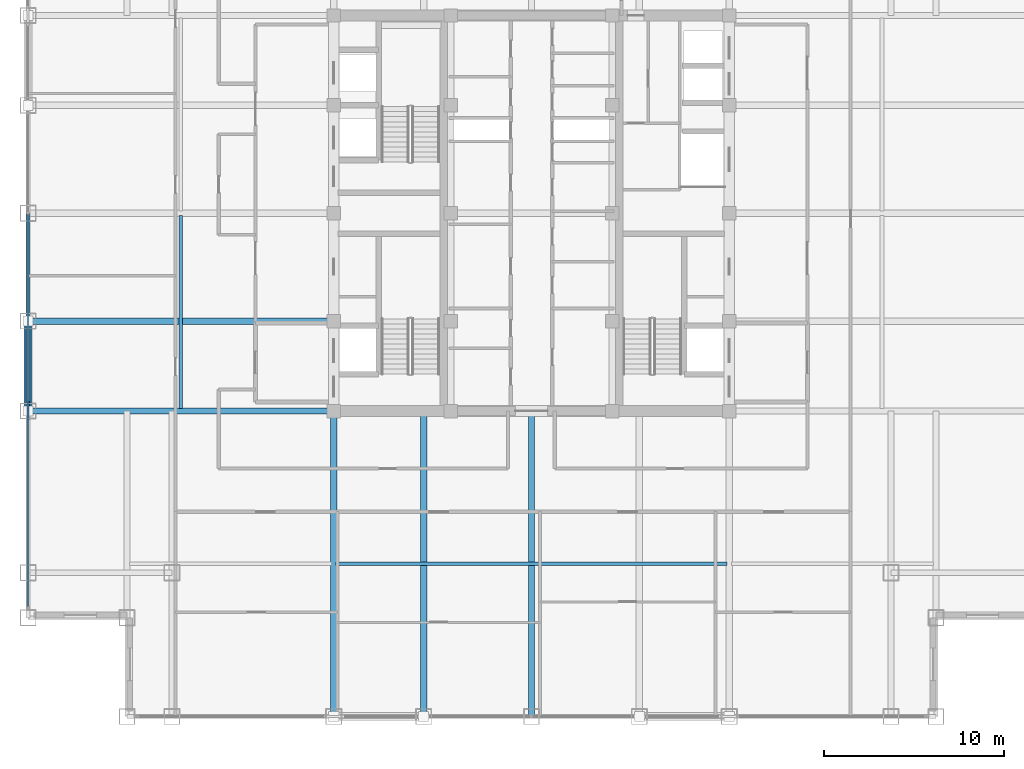
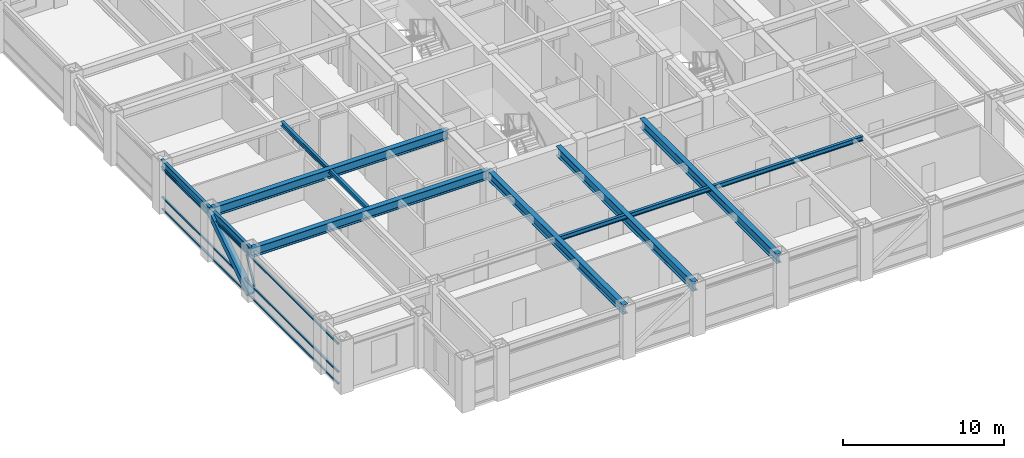
# One storey, part 5 of 22: 9 beams, 5 members, 1 element without a shape of its own.
"""IFC4 building model written with IfcOpenShell, lengths in metres."""

from ifc_helpers import new_model, si_unit, direction, frame, origin, origin_2d, place, context, subcontext, project, spatial, hollow_rectangle, i_section, extrude, source, transform, mapped, material, material_profile, profile_set, type_object, element, aggregate, save


model = new_model("IFC4")

# Units and contexts
model_context = context("Model", 3, precision=1e-05, world=origin(), true_north=direction((0.0, 1.0)))
body_context = subcontext(model_context, "Body", "Model", "MODEL_VIEW")
ifc_project = project(units=[si_unit("LENGTHUNIT", "METRE"), si_unit("AREAUNIT", "SQUARE_METRE"), si_unit("VOLUMEUNIT", "CUBIC_METRE"), si_unit("PLANEANGLEUNIT", "RADIAN"), si_unit("MASSUNIT", "GRAM", prefix="KILO")], contexts=[model_context])

# Site, building, storey
site_placement = place(None, origin())
site = spatial("IfcSite", under=ifc_project, at=site_placement, CompositionType="ELEMENT")
building_placement = place(site_placement, origin())
building = spatial("IfcBuilding", under=site, at=building_placement, Name="Khorayat Bourse Tower", CompositionType="ELEMENT")
storey_placement = place(building_placement, frame((0.0, 0.0, 297.5)))
storey = spatial("IfcBuildingStorey", under=building, at=storey_placement, Name="L70", CompositionType="ELEMENT", Elevation=297.5)

# Member
ifc_material_1 = material(Name="Steel EN 10025-4 S460M", Category="steel")
ifc_material_profile_1 = material_profile(ifc_material_1, hollow_rectangle(XDim=0.449951171875, YDim=0.449951171875, WallThickness=0.02490234375, at=origin_2d()), Name="HSS 450x450x25")
ifc_profile_set_1 = profile_set([ifc_material_profile_1], Name="Steel EN 10025-4 S460M")
member_type_1 = type_object("IfcMemberType", Name="MBR-TUBE-450", PredefinedType="BRACE", material=ifc_profile_set_1)
shared_shape_1 = source(origin(), body_context, "Body", "SweptSolid", [
    extrude(hollow_rectangle(XDim=0.449951171875, YDim=0.449951171875, WallThickness=0.02490234375, at=origin_2d()), origin(), (0.0, 0.0, 1.0), 5.979736328125),
])
member_1_placement = place(storey_placement, frame((-28.0, -11.0, 0.25), z_axis=(0.0, 0.836141536525, 0.548513747227), x_axis=(-1.0, 0.0, 0.0)))
element("IfcMember", 1, at=member_1_placement, inside=storey, type_object=member_type_1, Name="L70 Perimeter Tube Brace 05", PredefinedType="BRACE", context=body_context, shape_type="MappedRepresentation", body=[
    mapped(shared_shape_1, transform((0.0, 0.0, 0.0), scale=1.0)),
])

# Beams
ifc_material_2 = material(Name="Steel ASTM A992 Grade 50", Category="steel")
ifc_material_profile_2 = material_profile(ifc_material_2, i_section(OverallWidth=0.35498046875, OverallDepth=0.695068359375, WebThickness=0.015380859375, FlangeThickness=0.02490234375, FilletRadius=0.01806640625, at=origin_2d()), Name="W690X217")
ifc_profile_set_2 = profile_set([ifc_material_profile_2], Name="Steel ASTM A992 Grade 50")
beam_type_1 = type_object("IfcBeamType", Name="BM-GIRD-690", PredefinedType="BEAM", material=ifc_profile_set_2)
shared_shape_2 = source(origin(), body_context, "Body", "SweptSolid", [
    extrude(i_section(OverallWidth=0.35498046875, OverallDepth=0.695068359375, WebThickness=0.015380859375, FlangeThickness=0.02490234375, FilletRadius=0.01806640625, at=origin_2d()), origin(), (0.0, 0.0, 1.0), 17.0),
])
for number, where, z_axis, x_axis, name in (
    (2, (-11.0, -28.0, 3.4326171875), (0.0, 1.0, 0.0), (-1.0, 0.0, 0.0), "L70 BM-GIRD-690 BM-L70-RADY-065"),
    (3, (-6.0, -28.0, 3.4326171875), (0.0, 1.0, 0.0), (-1.0, 0.0, 0.0), "L70 BM-GIRD-690 BM-L70-RADY-067"),
    (4, (0.0, -28.0, 3.4326171875), (0.0, 1.0, 0.0), (-1.0, 0.0, 0.0), "L70 BM-GIRD-690 BM-L70-RADY-069"),
    (5, (-28.0, -11.0, 3.4326171875), (1.0, 0.0, 0.0), (0.0, 1.0, 0.0), "L70 BM-GIRD-690 BM-L70-RADX-075"),
    (6, (-28.0, -6.0, 3.4326171875), (1.0, 0.0, 0.0), (0.0, 1.0, 0.0), "L70 BM-GIRD-690 BM-L70-RADX-077"),
):
    element("IfcBeam", number, at=place(storey_placement, frame(where, z_axis=z_axis, x_axis=x_axis)), inside=storey, type_object=beam_type_1, Name=name, PredefinedType="BEAM", context=body_context, shape_type="MappedRepresentation", body=[
        mapped(shared_shape_2, transform((0.0, 0.0, 0.0), scale=1.0)),
    ])
ifc_material_profile_3 = material_profile(ifc_material_2, i_section(OverallWidth=0.202880859375, OverallDepth=0.346923828125, WebThickness=0.0078125, FlangeThickness=0.013427734375, FilletRadius=0.010009765625, at=origin_2d()), Name="W360X64")
ifc_profile_set_3 = profile_set([ifc_material_profile_3], Name="Steel ASTM A992 Grade 50")
beam_type_2 = type_object("IfcBeamType", Name="BM-JOIST-360", PredefinedType="JOIST", material=ifc_profile_set_3)
shared_shape_3 = source(origin(), body_context, "Body", "SweptSolid", [
    extrude(i_section(OverallWidth=0.202880859375, OverallDepth=0.346923828125, WebThickness=0.0078125, FlangeThickness=0.013427734375, FilletRadius=0.010009765625, at=origin_2d()), origin(), (0.0, 0.0, 1.0), 21.740234375),
])
beam_1_placement = place(storey_placement, frame((-10.8701171875, -19.5, 3.6064453125), z_axis=(1.0, 0.0, 0.0), x_axis=(0.0, 1.0, 0.0)))
element("IfcBeam", 7, at=beam_1_placement, inside=storey, type_object=beam_type_2, Name="L70 BM-JOIST-360 BM-L70-JSTX-097", PredefinedType="JOIST", context=body_context, shape_type="MappedRepresentation", body=[
    mapped(shared_shape_3, transform((0.0, 0.0, 0.0), scale=1.0)),
])
shared_shape_4 = source(origin(), body_context, "Body", "SweptSolid", [
    extrude(i_section(OverallWidth=0.202880859375, OverallDepth=0.346923828125, WebThickness=0.0078125, FlangeThickness=0.013427734375, FilletRadius=0.010009765625, at=origin_2d()), origin(), (0.0, 0.0, 1.0), 10.740234375),
])
beam_2_placement = place(storey_placement, frame((-19.5, -10.8701171875, 3.6064453125), z_axis=(0.0, 1.0, 0.0), x_axis=(-1.0, 0.0, 0.0)))
element("IfcBeam", 8, at=beam_2_placement, inside=storey, type_object=beam_type_2, Name="L70 BM-JOIST-360 BM-L70-JSTY-102", PredefinedType="JOIST", context=body_context, shape_type="MappedRepresentation", body=[
    mapped(shared_shape_4, transform((0.0, 0.0, 0.0), scale=1.0)),
])
ifc_material_profile_4 = material_profile(ifc_material_2, i_section(OverallWidth=0.214111328125, OverallDepth=0.549072265625, WebThickness=0.0146484375, FlangeThickness=0.023681640625, FilletRadius=0.013916015625, at=origin_2d()), Name="W530X138")
ifc_profile_set_4 = profile_set([ifc_material_profile_4], Name="Steel ASTM A992 Grade 50")
beam_type_3 = type_object("IfcBeamType", Name="BM-SPAN-530", PredefinedType="SPANDREL", material=ifc_profile_set_4)
shared_shape_5 = source(origin(), body_context, "Body", "SweptSolid", [
    extrude(i_section(OverallWidth=0.214111328125, OverallDepth=0.549072265625, WebThickness=0.0146484375, FlangeThickness=0.023681640625, FilletRadius=0.013916015625, at=origin_2d()), origin(), (0.0, 0.0, 1.0), 5.0),
])
beam_3_placement = place(storey_placement, frame((-28.0, -11.0, 3.505615234375), z_axis=(0.0, 1.0, 0.0), x_axis=(-1.0, 0.0, 0.0)))
element("IfcBeam", 9, at=beam_3_placement, inside=storey, type_object=beam_type_3, Name="L70 BM-SPAN-530 BM-L70-SPN-059", PredefinedType="SPANDREL", context=body_context, shape_type="MappedRepresentation", body=[
    mapped(shared_shape_5, transform((0.0, 0.0, 0.0), scale=1.0)),
])
shared_shape_6 = source(origin(), body_context, "Body", "SweptSolid", [
    extrude(i_section(OverallWidth=0.214111328125, OverallDepth=0.549072265625, WebThickness=0.0146484375, FlangeThickness=0.023681640625, FilletRadius=0.013916015625, at=origin_2d()), origin(), (0.0, 0.0, 1.0), 6.0),
])
beam_4_placement = place(storey_placement, frame((-28.0, -6.0, 3.505615234375), z_axis=(0.0, 1.0, 0.0), x_axis=(-1.0, 0.0, 0.0)))
element("IfcBeam", 10, at=beam_4_placement, inside=storey, type_object=beam_type_3, Name="L70 BM-SPAN-530 BM-L70-SPN-058", PredefinedType="SPANDREL", context=body_context, shape_type="MappedRepresentation", body=[
    mapped(shared_shape_6, transform((0.0, 0.0, 0.0), scale=1.0)),
])

# Curtain wall, members
ifc_material_3 = material(Name="Aluminium EN AW-6063 T6", Category="aluminium")
curtain_wall_type = type_object("IfcCurtainWallType", Name="CW-SYS-04", PredefinedType="NOTDEFINED", material=ifc_material_3)
curtain_wall_placement = place(storey_placement, origin())
curtain_wall = element("IfcCurtainWall", 11, at=curtain_wall_placement, inside=storey, type_object=curtain_wall_type, Name="L70 Curtain Wall CW-L70-W1", PredefinedType="NOTDEFINED")
ifc_material_profile_5 = material_profile(ifc_material_3, hollow_rectangle(XDim=0.1201171875, YDim=0.1201171875, WallThickness=0.0048828125, at=origin_2d()), Name="ALU 120x120x5")
ifc_profile_set_5 = profile_set([ifc_material_profile_5], Name="Aluminium EN AW-6063 T6")
member_type_2 = type_object("IfcMemberType", Name="CWM-DIAG-120", PredefinedType="MULLION", material=ifc_profile_set_5)
shared_shape_7 = source(origin(), body_context, "Body", "SweptSolid", [
    extrude(hollow_rectangle(XDim=0.1201171875, YDim=0.1201171875, WallThickness=0.0048828125, at=origin_2d()), origin(), (0.0, 0.0, 1.0), 2.0791015625),
])
member_2_placement = place(storey_placement, frame((-28.0, -11.4541015625, 1.090087890625), z_axis=(0.0, 0.465717394116, 0.884933505309), x_axis=(-1.0, 0.0, 0.0)))
member_2 = element("IfcMember", 12, at=member_2_placement, type_object=member_type_2, Name="CW-L70-W1 Faceted Diagonal Mullion 1", PredefinedType="MULLION", context=body_context, shape_type="MappedRepresentation", body=[
    mapped(shared_shape_7, transform((0.0, 0.0, 0.0), scale=1.0)),
])
ifc_material_profile_6 = material_profile(ifc_material_3, hollow_rectangle(XDim=0.1201171875, YDim=0.1201171875, WallThickness=0.0048828125, at=origin_2d()), Name="ALU 120x120x5")
ifc_profile_set_6 = profile_set([ifc_material_profile_6], Name="Aluminium EN AW-6063 T6")
member_type_3 = type_object("IfcMemberType", Name="CWT-HORZ-120", PredefinedType="USERDEFINED", material=ifc_profile_set_6)
shared_shape_8 = source(origin(), body_context, "Body", "SweptSolid", [
    extrude(hollow_rectangle(XDim=0.1201171875, YDim=0.1201171875, WallThickness=0.0048828125, at=origin_2d()), origin(), (0.0, 0.0, 1.0), 21.81982421875),
])
member_3_placement = place(storey_placement, frame((-28.0, -21.8798828125, 0.06005859375), z_axis=(0.0, 1.0, 0.0), x_axis=(-1.0, 0.0, 0.0)))
member_3 = element("IfcMember", 13, at=member_3_placement, type_object=member_type_3, Name="CW-L70-W1 Horizontal Transom 1-1", ObjectType="TRANSOM", PredefinedType="USERDEFINED", context=body_context, shape_type="MappedRepresentation", body=[
    mapped(shared_shape_8, transform((0.0, 0.0, 0.0), scale=1.0)),
])
member_4_placement = place(storey_placement, frame((-28.0, -21.8798828125, 0.949951171875), z_axis=(0.0, 1.0, 0.0), x_axis=(-1.0, 0.0, 0.0)))
member_4 = element("IfcMember", 14, at=member_4_placement, type_object=member_type_3, Name="CW-L70-W1 Horizontal Transom 1-2", ObjectType="TRANSOM", PredefinedType="USERDEFINED", context=body_context, shape_type="MappedRepresentation", body=[
    mapped(shared_shape_8, transform((0.0, 0.0, 0.0), scale=1.0)),
])
member_5_placement = place(storey_placement, frame((-28.0, -21.8798828125, 3.070068359375), z_axis=(0.0, 1.0, 0.0), x_axis=(-1.0, 0.0, 0.0)))
member_5 = element("IfcMember", 15, at=member_5_placement, type_object=member_type_3, Name="CW-L70-W1 Horizontal Transom 1-3", ObjectType="TRANSOM", PredefinedType="USERDEFINED", context=body_context, shape_type="MappedRepresentation", body=[
    mapped(shared_shape_8, transform((0.0, 0.0, 0.0), scale=1.0)),
])
aggregate(curtain_wall, [member_3, member_4, member_5, member_2])

save(model, "model.ifc")
